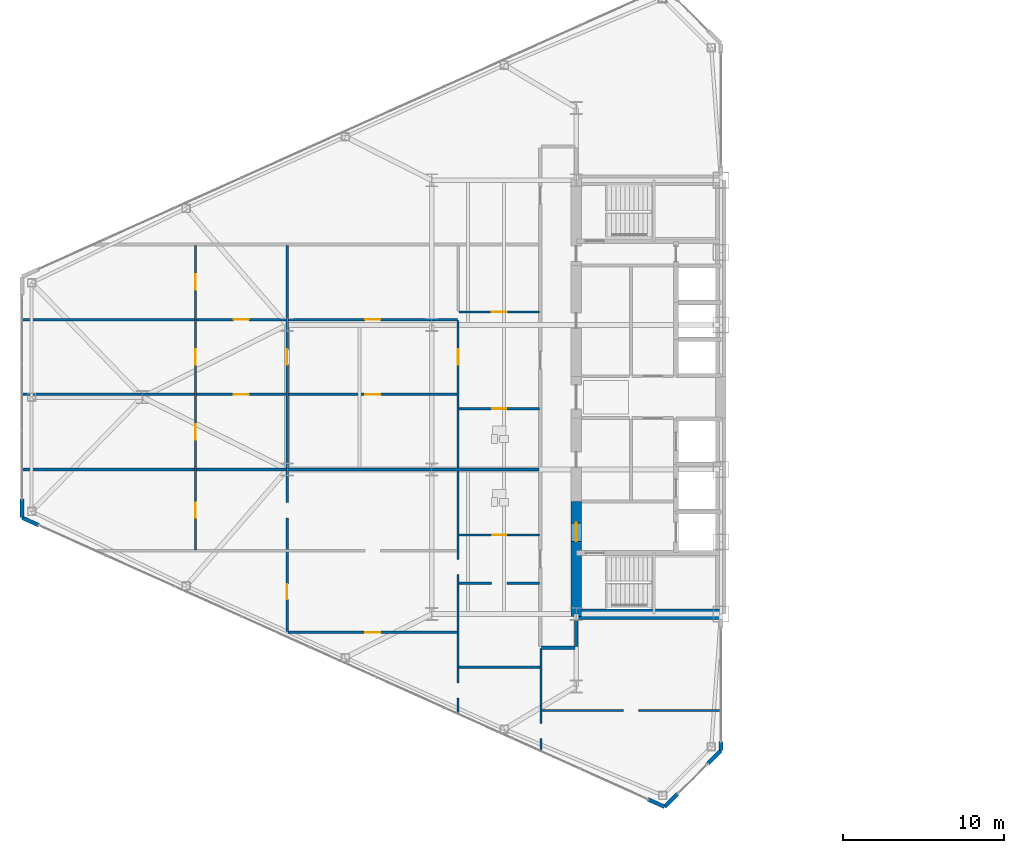
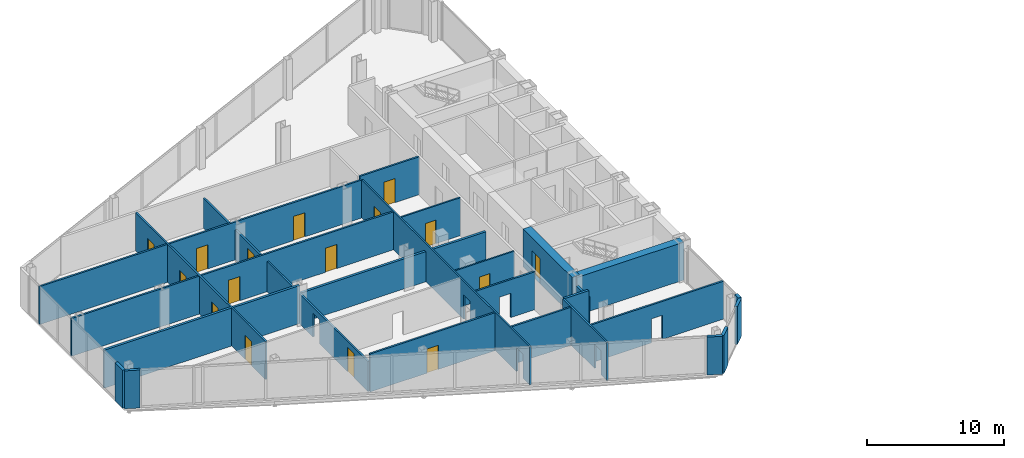
# One storey, part 19 of 27: 25 walls, 16 doors, 22 openings.
"""IFC4 building model written with IfcOpenShell, lengths in metres."""

from ifc_helpers import new_model, si_unit, direction, frame, frame_2d, origin, place, context, subcontext, project, spatial, rectangle, extrude, source, transform, mapped, material, layer, layer_set, type_object, type_shapes, element, fill, save


model = new_model("IFC4")

# Units and contexts
model_context = context("Model", 3, precision=1e-05, world=origin(), true_north=direction((0.0, 1.0)))
body_context = subcontext(model_context, "Body", "Model", "MODEL_VIEW")
ifc_project = project(units=[si_unit("LENGTHUNIT", "METRE"), si_unit("AREAUNIT", "SQUARE_METRE"), si_unit("VOLUMEUNIT", "CUBIC_METRE"), si_unit("PLANEANGLEUNIT", "RADIAN"), si_unit("MASSUNIT", "GRAM", prefix="KILO")], contexts=[model_context])

# Site, building, storey
site_placement = place(None, origin())
site = spatial("IfcSite", under=ifc_project, at=site_placement, CompositionType="ELEMENT")
building_placement = place(site_placement, origin())
building = spatial("IfcBuilding", under=site, at=building_placement, Name="Seokmaru Belvedere", CompositionType="ELEMENT")
storey_placement = place(building_placement, frame((0.0, 0.0, 65.699951171875)))
storey = spatial("IfcBuildingStorey", under=building, at=storey_placement, Name="L17", CompositionType="ELEMENT", Elevation=65.699951171875)

# Wall, opening
ifc_material_1 = material(Name="Fire-Rated Gypsum Shaftwall")
ifc_layer_1 = layer(ifc_material_1, 0.14990234375)
ifc_layer_set_1 = layer_set([ifc_layer_1], Name="Fire-Rated Gypsum Shaftwall")
wall_type_1 = type_object("IfcWallType", Name="Apartment Fire-Acoustic Room Partition 150", PredefinedType="PARTITIONING", material=ifc_layer_set_1)
wall_1_placement = place(storey_placement, frame((-38.64990234375, -19.5, 0.0), z_axis=(0.0, 0.0, 1.0), x_axis=(1.0, 0.0, 0.0)))
wall_1 = element("IfcWall", 1, at=wall_1_placement, inside=storey, type_object=wall_type_1, Name="L17 Interior Partition 001", PredefinedType="PARTITIONING", context=body_context, shape_type="SweptSolid", body=[
    extrude(rectangle(XDim=11.184814453125, YDim=0.14990234375, at=frame_2d((5.59228515625, 0.0))), origin(), (0.0, 0.0, 1.0), 3.380126953125),
])
opening_1_placement = place(wall_1_placement, frame((5.074951171875, 0.0, 0.0)))
element("IfcOpeningElement", 2, at=opening_1_placement, cuts=wall_1, Name="L17 Cased Opening 012", PredefinedType="OPENING", context=body_context, shape_type="SweptSolid", body=[
    extrude(rectangle(XDim=0.949951171875, YDim=2.14990234375, at=frame_2d((0.47509765625, 1.074951171875))), frame((0.0, 0.0849609375, 0.0), z_axis=(0.0, -1.0, 0.0), x_axis=(1.0, 0.0, 0.0)), (0.0, 0.0, 1.0), 0.169921875),
])

# Wall
wall_2_placement = place(storey_placement, frame((-43.800048828125, -16.81005859375, 0.0), z_axis=(0.0, 0.0, 1.0), x_axis=(1.0, 0.0, 0.0)))
element("IfcWall", 3, at=wall_2_placement, inside=storey, type_object=wall_type_1, Name="L17 Interior Partition 004", PredefinedType="PARTITIONING", context=body_context, shape_type="SweptSolid", body=[
    extrude(rectangle(XDim=5.050048828125, YDim=0.14990234375, at=frame_2d((2.52490234375, 0.0))), origin(), (0.0, 0.0, 1.0), 3.380126953125),
])

# Wall, opening, door
wall_3_placement = place(storey_placement, frame((-54.449951171875, -14.639892578125, 0.0), z_axis=(0.0, 0.0, 1.0), x_axis=(1.0, 0.0, 0.0)))
wall_3 = element("IfcWall", 4, at=wall_3_placement, inside=storey, type_object=wall_type_1, Name="L17 Interior Partition 008", PredefinedType="PARTITIONING", context=body_context, shape_type="SweptSolid", body=[
    extrude(rectangle(XDim=10.550048828125, YDim=0.14990234375, at=frame_2d((5.27490234375, 0.0))), origin(), (0.0, 0.0, 1.0), 3.380126953125),
])
opening_2_placement = place(wall_3_placement, frame((4.800048828125, 0.0, 0.0)))
opening_2 = element("IfcOpeningElement", 5, at=opening_2_placement, cuts=wall_3, Name="Opening D05", PredefinedType="OPENING", context=body_context, shape_type="SweptSolid", body=[
    extrude(rectangle(XDim=0.949951171875, YDim=2.14990234375, at=frame_2d((0.47509765625, 1.074951171875))), frame((0.0, 0.0849609375, 0.0), z_axis=(0.0, -1.0, 0.0), x_axis=(1.0, 0.0, 0.0)), (0.0, 0.0, 1.0), 0.169921875),
])
ifc_material_2 = material(Name="Engineered White Oak Timber", Category="wood")
door_type_1 = type_object("IfcDoorType", Name="Apartment Interior Fire-Rated Oak Door 950x2150", OperationType="NOTDEFINED", PredefinedType="DOOR", material=ifc_material_2)
shared_shape_1 = source(origin(), body_context, "Body", "SweptSolid", [
    extrude(rectangle(XDim=0.949951171875, YDim=2.14990234375, at=frame_2d((0.47509765625, 1.074951171875))), frame((0.0, 0.02490234375, 0.0), z_axis=(0.0, -1.0, 0.0), x_axis=(1.0, 0.0, 0.0)), (0.0, 0.0, 1.0), 0.050048828125),
])
type_shapes(door_type_1, [shared_shape_1])
door_1_placement = place(opening_2_placement, origin())
door_1 = element("IfcDoor", 6, at=door_1_placement, inside=storey, type_object=door_type_1, Name="L17 Interior Door 006", OperationType="SINGLE_SWING_LEFT", OverallHeight=2.14990234375, OverallWidth=0.949951171875, PredefinedType="DOOR", context=body_context, shape_type="MappedRepresentation", body=[
    mapped(shared_shape_1, transform((0.0, 0.0, 0.0), scale=1.0)),
])
fill(opening_2, door_1)

# Wall, opening
wall_4_placement = place(storey_placement, frame((-43.800048828125, -11.580078125, 0.0), z_axis=(0.0, 0.0, 1.0), x_axis=(1.0, 0.0, 0.0)))
wall_4 = element("IfcWall", 7, at=wall_4_placement, inside=storey, type_object=wall_type_1, Name="L17 Interior Partition 010", PredefinedType="PARTITIONING", context=body_context, shape_type="SweptSolid", body=[
    extrude(rectangle(XDim=5.0, YDim=0.14990234375, at=frame_2d((2.5, 0.0))), origin(), (0.0, 0.0, 1.0), 3.380126953125),
])
opening_3_placement = place(wall_4_placement, frame((2.02490234375, 0.0, 0.0)))
element("IfcOpeningElement", 8, at=opening_3_placement, cuts=wall_4, Name="L17 Cased Opening 003", PredefinedType="OPENING", context=body_context, shape_type="SweptSolid", body=[
    extrude(rectangle(XDim=0.949951171875, YDim=2.14990234375, at=frame_2d((0.47509765625, 1.074951171875))), frame((0.0, 0.0849609375, 0.0), z_axis=(0.0, -1.0, 0.0), x_axis=(1.0, 0.0, 0.0)), (0.0, 0.0, 1.0), 0.169921875),
])

# Wall, openings, doors
wall_5_placement = place(storey_placement, frame((-71.034912109375, 0.169921875, 0.0), z_axis=(0.0, 0.0, 1.0), x_axis=(1.0, 0.0, 0.0)))
wall_5 = element("IfcWall", 9, at=wall_5_placement, inside=storey, type_object=wall_type_1, Name="L17 Interior Partition 020", PredefinedType="PARTITIONING", context=body_context, shape_type="SweptSolid", body=[
    extrude(rectangle(XDim=27.135009765625, YDim=0.14990234375, at=frame_2d((13.5673828125, 0.0))), origin(), (0.0, 0.0, 1.0), 3.380126953125),
])
opening_4_placement = place(wall_5_placement, frame((21.385009765625, 0.0, 0.0)))
opening_4 = element("IfcOpeningElement", 10, at=opening_4_placement, cuts=wall_5, Name="Opening D05", PredefinedType="OPENING", context=body_context, shape_type="SweptSolid", body=[
    extrude(rectangle(XDim=0.949951171875, YDim=2.14990234375, at=frame_2d((0.47509765625, 1.074951171875))), frame((0.0, 0.0849609375, 0.0), z_axis=(0.0, -1.0, 0.0), x_axis=(1.0, 0.0, 0.0)), (0.0, 0.0, 1.0), 0.169921875),
])
opening_5_placement = place(wall_5_placement, frame((13.2099609375, 0.0, 0.0)))
opening_5 = element("IfcOpeningElement", 11, at=opening_5_placement, cuts=wall_5, Name="Opening D05", PredefinedType="OPENING", context=body_context, shape_type="SweptSolid", body=[
    extrude(rectangle(XDim=0.949951171875, YDim=2.14990234375, at=frame_2d((0.47509765625, 1.074951171875))), frame((0.0, 0.0849609375, 0.0), z_axis=(0.0, -1.0, 0.0), x_axis=(1.0, 0.0, 0.0)), (0.0, 0.0, 1.0), 0.169921875),
])
door_2_placement = place(opening_4_placement, origin())
door_2 = element("IfcDoor", 12, at=door_2_placement, inside=storey, type_object=door_type_1, Name="L17 Interior Door 018", OperationType="SINGLE_SWING_RIGHT", OverallHeight=2.14990234375, OverallWidth=0.949951171875, PredefinedType="DOOR", context=body_context, shape_type="MappedRepresentation", body=[
    mapped(shared_shape_1, transform((0.0, 0.0, 0.0), scale=1.0)),
])
fill(opening_4, door_2)
door_3_placement = place(opening_5_placement, origin())
door_3 = element("IfcDoor", 13, at=door_3_placement, inside=storey, type_object=door_type_1, Name="L17 Interior Door 020", OperationType="SINGLE_SWING_LEFT", OverallHeight=2.14990234375, OverallWidth=0.949951171875, PredefinedType="DOOR", context=body_context, shape_type="MappedRepresentation", body=[
    mapped(shared_shape_1, transform((0.0, 0.0, 0.0), scale=1.0)),
])
fill(opening_5, door_3)

wall_6_placement = place(storey_placement, frame((-71.034912109375, 4.830078125, 0.0), z_axis=(0.0, 0.0, 1.0), x_axis=(1.0, 0.0, 0.0)))
wall_6 = element("IfcWall", 14, at=wall_6_placement, inside=storey, type_object=wall_type_1, Name="L17 Interior Partition 022", PredefinedType="PARTITIONING", context=body_context, shape_type="SweptSolid", body=[
    extrude(rectangle(XDim=27.135009765625, YDim=0.14990234375, at=frame_2d((13.5673828125, 0.0))), origin(), (0.0, 0.0, 1.0), 3.380126953125),
])
opening_6_placement = place(wall_6_placement, frame((21.385009765625, 0.0, 0.0)))
opening_6 = element("IfcOpeningElement", 15, at=opening_6_placement, cuts=wall_6, Name="Opening D05", PredefinedType="OPENING", context=body_context, shape_type="SweptSolid", body=[
    extrude(rectangle(XDim=0.949951171875, YDim=2.14990234375, at=frame_2d((0.47509765625, 1.074951171875))), frame((0.0, 0.0849609375, 0.0), z_axis=(0.0, -1.0, 0.0), x_axis=(1.0, 0.0, 0.0)), (0.0, 0.0, 1.0), 0.169921875),
])
opening_7_placement = place(wall_6_placement, frame((13.2099609375, 0.0, 0.0)))
opening_7 = element("IfcOpeningElement", 16, at=opening_7_placement, cuts=wall_6, Name="Opening D05", PredefinedType="OPENING", context=body_context, shape_type="SweptSolid", body=[
    extrude(rectangle(XDim=0.949951171875, YDim=2.14990234375, at=frame_2d((0.47509765625, 1.074951171875))), frame((0.0, 0.0849609375, 0.0), z_axis=(0.0, -1.0, 0.0), x_axis=(1.0, 0.0, 0.0)), (0.0, 0.0, 1.0), 0.169921875),
])
door_4_placement = place(opening_6_placement, origin())
door_4 = element("IfcDoor", 17, at=door_4_placement, inside=storey, type_object=door_type_1, Name="L17 Interior Door 019", OperationType="SINGLE_SWING_LEFT", OverallHeight=2.14990234375, OverallWidth=0.949951171875, PredefinedType="DOOR", context=body_context, shape_type="MappedRepresentation", body=[
    mapped(shared_shape_1, transform((0.0, 0.0, 0.0), scale=1.0)),
])
fill(opening_6, door_4)
door_5_placement = place(opening_7_placement, origin())
door_5 = element("IfcDoor", 18, at=door_5_placement, inside=storey, type_object=door_type_1, Name="L17 Interior Door 023", OperationType="SINGLE_SWING_LEFT", OverallHeight=2.14990234375, OverallWidth=0.949951171875, PredefinedType="DOOR", context=body_context, shape_type="MappedRepresentation", body=[
    mapped(shared_shape_1, transform((0.0, 0.0, 0.0), scale=1.0)),
])
fill(opening_7, door_5)

# Wall, opening, door
wall_7_placement = place(storey_placement, frame((-43.800048828125, 5.300048828125, 0.0), z_axis=(0.0, 0.0, 1.0), x_axis=(1.0, 0.0, 0.0)))
wall_7 = element("IfcWall", 19, at=wall_7_placement, inside=storey, type_object=wall_type_1, Name="L17 Interior Partition 023", PredefinedType="PARTITIONING", context=body_context, shape_type="SweptSolid", body=[
    extrude(rectangle(XDim=5.0, YDim=0.14990234375, at=frame_2d((2.5, 0.0))), origin(), (0.0, 0.0, 1.0), 3.380126953125),
])
opening_8_placement = place(wall_7_placement, frame((2.02490234375, 0.0, 0.0)))
opening_8 = element("IfcOpeningElement", 20, at=opening_8_placement, cuts=wall_7, Name="Opening D05", PredefinedType="OPENING", context=body_context, shape_type="SweptSolid", body=[
    extrude(rectangle(XDim=0.949951171875, YDim=2.14990234375, at=frame_2d((0.47509765625, 1.074951171875))), frame((0.0, 0.0849609375, 0.0), z_axis=(0.0, -1.0, 0.0), x_axis=(1.0, 0.0, 0.0)), (0.0, 0.0, 1.0), 0.169921875),
])
door_6_placement = place(opening_8_placement, origin())
door_6 = element("IfcDoor", 21, at=door_6_placement, inside=storey, type_object=door_type_1, Name="L17 Interior Door 015", OperationType="SINGLE_SWING_LEFT", OverallHeight=2.14990234375, OverallWidth=0.949951171875, PredefinedType="DOOR", context=body_context, shape_type="MappedRepresentation", body=[
    mapped(shared_shape_1, transform((0.0, 0.0, 0.0), scale=1.0)),
])
fill(opening_8, door_6)

# Wall, openings, doors
wall_8_placement = place(storey_placement, frame((-60.199951171875, -9.52197265625, 0.0), z_axis=(0.0, 0.0, 1.0), x_axis=(0.0, 1.0, 0.0)))
wall_8 = element("IfcWall", 22, at=wall_8_placement, inside=storey, type_object=wall_type_1, Name="L17 Interior Partition 032", PredefinedType="PARTITIONING", context=body_context, shape_type="SweptSolid", body=[
    extrude(rectangle(XDim=18.971923828125, YDim=0.14990234375, at=frame_2d((9.48583984375, 0.0))), origin(), (0.0, 0.0, 1.0), 3.380126953125),
])
opening_9_placement = place(wall_8_placement, frame((2.0107421875, 0.0, 0.0)))
opening_9 = element("IfcOpeningElement", 23, at=opening_9_placement, cuts=wall_8, Name="Opening D05", PredefinedType="OPENING", context=body_context, shape_type="SweptSolid", body=[
    extrude(rectangle(XDim=0.949951171875, YDim=2.14990234375, at=frame_2d((0.47509765625, 1.074951171875))), frame((0.0, 0.0849609375, 0.0), z_axis=(0.0, -1.0, 0.0), x_axis=(1.0, 0.0, 0.0)), (0.0, 0.0, 1.0), 0.169921875),
])
opening_10_placement = place(wall_8_placement, frame((6.88037109375, 0.0, 0.0)))
opening_10 = element("IfcOpeningElement", 24, at=opening_10_placement, cuts=wall_8, Name="Opening D05", PredefinedType="OPENING", context=body_context, shape_type="SweptSolid", body=[
    extrude(rectangle(XDim=0.949951171875, YDim=2.14990234375, at=frame_2d((0.47509765625, 1.074951171875))), frame((0.0, 0.0849609375, 0.0), z_axis=(0.0, -1.0, 0.0), x_axis=(1.0, 0.0, 0.0)), (0.0, 0.0, 1.0), 0.169921875),
])
opening_11_placement = place(wall_8_placement, frame((11.547119140625, 0.0, 0.0)))
opening_11 = element("IfcOpeningElement", 25, at=opening_11_placement, cuts=wall_8, Name="Opening D05", PredefinedType="OPENING", context=body_context, shape_type="SweptSolid", body=[
    extrude(rectangle(XDim=0.949951171875, YDim=2.14990234375, at=frame_2d((0.47509765625, 1.074951171875))), frame((0.0, 0.0849609375, 0.0), z_axis=(0.0, -1.0, 0.0), x_axis=(1.0, 0.0, 0.0)), (0.0, 0.0, 1.0), 0.169921875),
])
opening_12_placement = place(wall_8_placement, frame((16.213623046875, 0.0, 0.0)))
opening_12 = element("IfcOpeningElement", 26, at=opening_12_placement, cuts=wall_8, Name="Opening D05", PredefinedType="OPENING", context=body_context, shape_type="SweptSolid", body=[
    extrude(rectangle(XDim=0.949951171875, YDim=2.14990234375, at=frame_2d((0.47509765625, 1.074951171875))), frame((0.0, 0.0849609375, 0.0), z_axis=(0.0, -1.0, 0.0), x_axis=(1.0, 0.0, 0.0)), (0.0, 0.0, 1.0), 0.169921875),
])
door_7_placement = place(opening_9_placement, origin())
door_7 = element("IfcDoor", 27, at=door_7_placement, inside=storey, type_object=door_type_1, Name="L17 Interior Door 009", OperationType="SINGLE_SWING_RIGHT", OverallHeight=2.14990234375, OverallWidth=0.949951171875, PredefinedType="DOOR", context=body_context, shape_type="MappedRepresentation", body=[
    mapped(shared_shape_1, transform((0.0, 0.0, 0.0), scale=1.0)),
])
fill(opening_9, door_7)
door_8_placement = place(opening_10_placement, origin())
door_8 = element("IfcDoor", 28, at=door_8_placement, inside=storey, type_object=door_type_1, Name="L17 Interior Door 021", OperationType="SINGLE_SWING_RIGHT", OverallHeight=2.14990234375, OverallWidth=0.949951171875, PredefinedType="DOOR", context=body_context, shape_type="MappedRepresentation", body=[
    mapped(shared_shape_1, transform((0.0, 0.0, 0.0), scale=1.0)),
])
fill(opening_10, door_8)
door_9_placement = place(opening_11_placement, origin())
door_9 = element("IfcDoor", 29, at=door_9_placement, inside=storey, type_object=door_type_1, Name="L17 Interior Door 022", OperationType="SINGLE_SWING_RIGHT", OverallHeight=2.14990234375, OverallWidth=0.949951171875, PredefinedType="DOOR", context=body_context, shape_type="MappedRepresentation", body=[
    mapped(shared_shape_1, transform((0.0, 0.0, 0.0), scale=1.0)),
])
fill(opening_11, door_9)
door_10_placement = place(opening_12_placement, origin())
door_10 = element("IfcDoor", 30, at=door_10_placement, inside=storey, type_object=door_type_1, Name="L17 Interior Door 024", OperationType="SINGLE_SWING_RIGHT", OverallHeight=2.14990234375, OverallWidth=0.949951171875, PredefinedType="DOOR", context=body_context, shape_type="MappedRepresentation", body=[
    mapped(shared_shape_1, transform((0.0, 0.0, 0.0), scale=1.0)),
])
fill(opening_12, door_10)

wall_9_placement = place(storey_placement, frame((-54.5, -14.594970703125, 0.0), z_axis=(0.0, 0.0, 1.0), x_axis=(0.0, 1.0, 0.0)))
wall_9 = element("IfcWall", 31, at=wall_9_placement, inside=storey, type_object=wall_type_1, Name="L17 Interior Partition 033", PredefinedType="PARTITIONING", context=body_context, shape_type="SweptSolid", body=[
    extrude(rectangle(XDim=24.044921875, YDim=0.14990234375, at=frame_2d((12.0224609375, 0.0))), origin(), (0.0, 0.0, 1.0), 2.679931640625),
])
opening_13_placement = place(wall_9_placement, frame((2.01123046875, 0.0, 0.0)))
opening_13 = element("IfcOpeningElement", 32, at=opening_13_placement, cuts=wall_9, Name="Opening D05", PredefinedType="OPENING", context=body_context, shape_type="SweptSolid", body=[
    extrude(rectangle(XDim=0.949951171875, YDim=2.14990234375, at=frame_2d((0.47509765625, 1.074951171875))), frame((0.0, 0.0849609375, 0.0), z_axis=(0.0, -1.0, 0.0), x_axis=(1.0, 0.0, 0.0)), (0.0, 0.0, 1.0), 0.169921875),
])
opening_14_placement = place(wall_9_placement, frame((7.083740234375, 0.0, 0.0)))
element("IfcOpeningElement", 33, at=opening_14_placement, cuts=wall_9, Name="L17 Cased Opening 008", PredefinedType="OPENING", context=body_context, shape_type="SweptSolid", body=[
    extrude(rectangle(XDim=0.949951171875, YDim=2.14990234375, at=frame_2d((0.47509765625, 1.074951171875))), frame((0.0, 0.0849609375, 0.0), z_axis=(0.0, -1.0, 0.0), x_axis=(1.0, 0.0, 0.0)), (0.0, 0.0, 1.0), 0.169921875),
])
opening_15_placement = place(wall_9_placement, frame((16.6201171875, 0.0, 0.0)))
opening_15 = element("IfcOpeningElement", 34, at=opening_15_placement, cuts=wall_9, Name="Opening D05", PredefinedType="OPENING", context=body_context, shape_type="SweptSolid", body=[
    extrude(rectangle(XDim=0.949951171875, YDim=2.14990234375, at=frame_2d((0.47509765625, 1.074951171875))), frame((0.0, 0.0849609375, 0.0), z_axis=(0.0, -1.0, 0.0), x_axis=(1.0, 0.0, 0.0)), (0.0, 0.0, 1.0), 0.169921875),
])
door_11_placement = place(opening_13_placement, origin())
door_11 = element("IfcDoor", 35, at=door_11_placement, inside=storey, type_object=door_type_1, Name="L17 Interior Door 005", OperationType="SINGLE_SWING_RIGHT", OverallHeight=2.14990234375, OverallWidth=0.949951171875, PredefinedType="DOOR", context=body_context, shape_type="MappedRepresentation", body=[
    mapped(shared_shape_1, transform((0.0, 0.0, 0.0), scale=1.0)),
])
fill(opening_13, door_11)
door_12_placement = place(opening_15_placement, origin())
door_12 = element("IfcDoor", 36, at=door_12_placement, inside=storey, type_object=door_type_1, Name="L17 Interior Door 017", OperationType="SINGLE_SWING_LEFT", OverallHeight=2.14990234375, OverallWidth=0.949951171875, PredefinedType="DOOR", context=body_context, shape_type="MappedRepresentation", body=[
    mapped(shared_shape_1, transform((0.0, 0.0, 0.0), scale=1.0)),
])
fill(opening_15, door_12)

# Wall, opening
wall_10_placement = place(storey_placement, frame((-38.699951171875, -22.070068359375, 0.0), z_axis=(0.0, 0.0, 1.0), x_axis=(0.0, 1.0, 0.0)))
wall_10 = element("IfcWall", 37, at=wall_10_placement, inside=storey, type_object=wall_type_1, Name="L17 Interior Partition 037", PredefinedType="PARTITIONING", context=body_context, shape_type="SweptSolid", body=[
    extrude(rectangle(XDim=6.420166015625, YDim=0.14990234375, at=frame_2d((3.2099609375, 0.0))), origin(), (0.0, 0.0, 1.0), 3.380126953125),
])
opening_16_placement = place(wall_10_placement, frame((0.827392578125, 0.0, 0.0)))
element("IfcOpeningElement", 38, at=opening_16_placement, cuts=wall_10, Name="L17 Cased Opening 011", PredefinedType="OPENING", context=body_context, shape_type="SweptSolid", body=[
    extrude(rectangle(XDim=0.949951171875, YDim=2.14990234375, at=frame_2d((0.47509765625, 1.074951171875))), frame((0.0, 0.0849609375, 0.0), z_axis=(0.0, -1.0, 0.0), x_axis=(1.0, 0.0, 0.0)), (0.0, 0.0, 1.0), 0.169921875),
])

# Walls
ifc_layer_2 = layer(ifc_material_1, 0.199951171875)
ifc_layer_set_2 = layer_set([ifc_layer_2], Name="Fire-Rated Gypsum Shaftwall")
wall_type_2 = type_object("IfcWallType", Name="Inter-Tenancy Fire Compartment Partition 200", PredefinedType="PARTITIONING", material=ifc_layer_set_2)
wall_11_placement = place(storey_placement, frame((-38.6650390625, -15.60009765625, 0.0), z_axis=(0.0, 0.0, 1.0), x_axis=(1.0, 0.0, 0.0)))
element("IfcWall", 39, at=wall_11_placement, inside=storey, type_object=wall_type_2, Name="L17 Interior Partition 006", PredefinedType="PARTITIONING", context=body_context, shape_type="SweptSolid", body=[
    extrude(rectangle(XDim=2.080078125, YDim=0.199951171875, at=frame_2d((1.0400390625, 0.0))), origin(), (0.0, 0.0, 1.0), 3.380126953125),
])
wall_12_placement = place(storey_placement, frame((-71.0048828125, -4.5, 0.0), z_axis=(0.0, 0.0, 1.0), x_axis=(1.0, 0.0, 0.0)))
element("IfcWall", 40, at=wall_12_placement, inside=storey, type_object=wall_type_2, Name="L17 Interior Partition 016", PredefinedType="PARTITIONING", context=body_context, shape_type="SweptSolid", body=[
    extrude(rectangle(XDim=16.48486328125, YDim=0.199951171875, at=frame_2d((8.242431640625, 0.0))), origin(), (0.0, 0.0, 1.0), 3.380126953125),
])
wall_13_placement = place(storey_placement, frame((-54.52001953125, -4.5, 0.0), z_axis=(0.0, 0.0, 1.0), x_axis=(1.0, 0.0, 0.0)))
element("IfcWall", 41, at=wall_13_placement, inside=storey, type_object=wall_type_2, Name="L17 Interior Partition 016 Part 2", PredefinedType="PARTITIONING", context=body_context, shape_type="SweptSolid", body=[
    extrude(rectangle(XDim=15.68994140625, YDim=0.199951171875, at=frame_2d((7.844970703125, 0.0))), origin(), (0.0, 0.0, 1.0), 2.679931640625),
])
wall_14_placement = place(storey_placement, frame((-36.5, -15.514892578125, 0.0), z_axis=(0.0, 0.0, 1.0), x_axis=(0.0, 1.0, 0.0)))
element("IfcWall", 42, at=wall_14_placement, inside=storey, type_object=wall_type_2, Name="L17 Interior Partition 038", PredefinedType="PARTITIONING", context=body_context, shape_type="SweptSolid", body=[
    extrude(rectangle(XDim=1.684814453125, YDim=0.199951171875, at=frame_2d((0.84228515625, 0.0))), origin(), (0.0, 0.0, 1.0), 2.679931640625),
])
ifc_material_3 = material(Name="Concrete C60 (60 MPa)", Category="concrete")
ifc_layer_3 = layer(ifc_material_3, 0.64990234375)
ifc_layer_set_3 = layer_set([ifc_layer_3], Name="Concrete C60 (60 MPa)")
wall_type_3 = type_object("IfcWallType", Name="Mid-Low Reinforced Concrete Core Wall 650", PredefinedType="SHEAR", material=ifc_layer_set_3)
wall_15_placement = place(storey_placement, frame((-36.5, -13.5, 0.0), z_axis=(0.0, 0.0, 1.0), x_axis=(1.0, 0.0, 0.0)))
element("IfcWall", 43, at=wall_15_placement, inside=storey, type_object=wall_type_3, Name="L17 West South Core Wall", PredefinedType="SHEAR", context=body_context, shape_type="SweptSolid", body=[
    extrude(rectangle(XDim=9.0, YDim=0.64990234375, at=frame_2d((4.5, 0.0))), origin(), (0.0, 0.0, 1.0), 3.380126953125),
])

# Wall, opening, door
wall_16_placement = place(storey_placement, frame((-36.5, -13.64990234375, 0.0), z_axis=(0.0, 0.0, 1.0), x_axis=(0.0, 1.0, 0.0)))
wall_16 = element("IfcWall", 44, at=wall_16_placement, inside=storey, type_object=wall_type_3, Name="L17 West West Core Wall FF", PredefinedType="SHEAR", context=body_context, shape_type="SweptSolid", body=[
    extrude(rectangle(XDim=7.14990234375, YDim=0.64990234375, at=frame_2d((3.574951171875, 0.0))), origin(), (0.0, 0.0, 1.0), 3.380126953125),
])
opening_17_placement = place(wall_16_placement, frame((4.675048828125, 0.0, 0.0)))
opening_17 = element("IfcOpeningElement", 45, at=opening_17_placement, cuts=wall_16, Name="Opening D02", PredefinedType="OPENING", context=body_context, shape_type="SweptSolid", body=[
    extrude(rectangle(XDim=1.14990234375, YDim=2.199951171875, at=frame_2d((0.574951171875, 1.10009765625))), frame((0.0, 0.3349609375, 0.0), z_axis=(0.0, -1.0, 0.0), x_axis=(1.0, 0.0, 0.0)), (0.0, 0.0, 1.0), 0.669921875),
])
ifc_material_4 = material(Name="Fire-Rated Steel Leaf", Category="steel")
door_type_2 = type_object("IfcDoorType", Name="Lobby and Vestibule Fire Door 1150x2200", OperationType="NOTDEFINED", PredefinedType="DOOR", material=ifc_material_4)
shared_shape_2 = source(origin(), body_context, "Body", "SweptSolid", [
    extrude(rectangle(XDim=1.14990234375, YDim=2.199951171875, at=frame_2d((0.574951171875, 1.10009765625))), frame((0.0, 0.02490234375, 0.0), z_axis=(0.0, -1.0, 0.0), x_axis=(1.0, 0.0, 0.0)), (0.0, 0.0, 1.0), 0.050048828125),
])
type_shapes(door_type_2, [shared_shape_2])
door_13_placement = place(opening_17_placement, frame((1.14990234375, 0.0, 0.0), z_axis=(0.0, 0.0, 1.0), x_axis=(-1.0, 0.0, 0.0)))
door_13 = element("IfcDoor", 46, at=door_13_placement, inside=storey, type_object=door_type_2, Name="L17 West Firefighting Lobby Door", OperationType="SINGLE_SWING_LEFT", OverallHeight=2.199951171875, OverallWidth=1.14990234375, PredefinedType="DOOR", context=body_context, shape_type="MappedRepresentation", body=[
    mapped(shared_shape_2, transform((0.0, 0.0, 0.0), scale=1.0)),
])
fill(opening_17, door_13)

ifc_layer_4 = layer(ifc_material_1, 0.1298828125)
ifc_layer_set_4 = layer_set([ifc_layer_4], Name="Fire-Rated Gypsum Shaftwall")
wall_type_4 = type_object("IfcWallType", Name="Moisture-Resistant Fire-Rated Bathroom Partition 130", PredefinedType="PARTITIONING", material=ifc_layer_set_4)
wall_17_placement = place(storey_placement, frame((-43.800048828125, -8.580078125, 0.0), z_axis=(0.0, 0.0, 1.0), x_axis=(1.0, 0.0, 0.0)))
wall_17 = element("IfcWall", 47, at=wall_17_placement, inside=storey, type_object=wall_type_4, Name="L17 Interior Partition 013", PredefinedType="PARTITIONING", context=body_context, shape_type="SweptSolid", body=[
    extrude(rectangle(XDim=5.0, YDim=0.1298828125, at=frame_2d((2.5, 0.0))), origin(), (0.0, 0.0, 1.0), 3.380126953125),
])
opening_18_placement = place(wall_17_placement, frame((2.06005859375, 0.0, 0.0)))
opening_18 = element("IfcOpeningElement", 48, at=opening_18_placement, cuts=wall_17, Name="Opening D06", PredefinedType="OPENING", context=body_context, shape_type="SweptSolid", body=[
    extrude(rectangle(XDim=0.8798828125, YDim=2.10009765625, at=frame_2d((0.43994140625, 1.050048828125))), frame((0.0, 0.074951171875, 0.0), z_axis=(0.0, -1.0, 0.0), x_axis=(1.0, 0.0, 0.0)), (0.0, 0.0, 1.0), 0.14990234375),
])
door_type_3 = type_object("IfcDoorType", Name="Bathroom and Restroom Fire-Rated Door 880x2100", OperationType="NOTDEFINED", PredefinedType="DOOR", material=ifc_material_2)
shared_shape_3 = source(origin(), body_context, "Body", "SweptSolid", [
    extrude(rectangle(XDim=0.8798828125, YDim=2.10009765625, at=frame_2d((0.43994140625, 1.050048828125))), frame((0.0, 0.02490234375, 0.0), z_axis=(0.0, -1.0, 0.0), x_axis=(1.0, 0.0, 0.0)), (0.0, 0.0, 1.0), 0.050048828125),
])
type_shapes(door_type_3, [shared_shape_3])
door_14_placement = place(opening_18_placement, origin())
door_14 = element("IfcDoor", 49, at=door_14_placement, inside=storey, type_object=door_type_3, Name="L17 Interior Door 002", OperationType="SINGLE_SWING_LEFT", OverallHeight=2.10009765625, OverallWidth=0.8798828125, PredefinedType="DOOR", context=body_context, shape_type="MappedRepresentation", body=[
    mapped(shared_shape_3, transform((0.0, 0.0, 0.0), scale=1.0)),
])
fill(opening_18, door_14)

wall_18_placement = place(storey_placement, frame((-43.800048828125, -0.719970703125, 0.0), z_axis=(0.0, 0.0, 1.0), x_axis=(1.0, 0.0, 0.0)))
wall_18 = element("IfcWall", 50, at=wall_18_placement, inside=storey, type_object=wall_type_4, Name="L17 Interior Partition 019", PredefinedType="PARTITIONING", context=body_context, shape_type="SweptSolid", body=[
    extrude(rectangle(XDim=5.0, YDim=0.1298828125, at=frame_2d((2.5, 0.0))), origin(), (0.0, 0.0, 1.0), 3.380126953125),
])
opening_19_placement = place(wall_18_placement, frame((2.06005859375, 0.0, 0.0)))
opening_19 = element("IfcOpeningElement", 51, at=opening_19_placement, cuts=wall_18, Name="Opening D06", PredefinedType="OPENING", context=body_context, shape_type="SweptSolid", body=[
    extrude(rectangle(XDim=0.8798828125, YDim=2.10009765625, at=frame_2d((0.43994140625, 1.050048828125))), frame((0.0, 0.074951171875, 0.0), z_axis=(0.0, -1.0, 0.0), x_axis=(1.0, 0.0, 0.0)), (0.0, 0.0, 1.0), 0.14990234375),
])
door_15_placement = place(opening_19_placement, origin())
door_15 = element("IfcDoor", 52, at=door_15_placement, inside=storey, type_object=door_type_3, Name="L17 Interior Door 014", OperationType="SINGLE_SWING_LEFT", OverallHeight=2.10009765625, OverallWidth=0.8798828125, PredefinedType="DOOR", context=body_context, shape_type="MappedRepresentation", body=[
    mapped(shared_shape_3, transform((0.0, 0.0, 0.0), scale=1.0)),
])
fill(opening_19, door_15)

# Wall, openings, door
wall_19_placement = place(storey_placement, frame((-43.85009765625, -19.7529296875, 0.0), z_axis=(0.0, 0.0, 1.0), x_axis=(0.0, 1.0, 0.0)))
wall_19 = element("IfcWall", 53, at=wall_19_placement, inside=storey, type_object=wall_type_4, Name="L17 Interior Partition 034", PredefinedType="PARTITIONING", context=body_context, shape_type="SweptSolid", body=[
    extrude(rectangle(XDim=24.535888671875, YDim=0.1298828125, at=frame_2d((12.26806640625, 0.0))), origin(), (0.0, 0.0, 1.0), 3.380126953125),
])
opening_20_placement = place(wall_19_placement, frame((8.702880859375, 0.0, 0.0)))
element("IfcOpeningElement", 54, at=opening_20_placement, cuts=wall_19, Name="L17 Cased Opening 004", PredefinedType="OPENING", context=body_context, shape_type="SweptSolid", body=[
    extrude(rectangle(XDim=0.949951171875, YDim=2.14990234375, at=frame_2d((0.47509765625, 1.074951171875))), frame((0.0, 0.074951171875, 0.0), z_axis=(0.0, -1.0, 0.0), x_axis=(1.0, 0.0, 0.0)), (0.0, 0.0, 1.0), 0.14990234375),
])
opening_21_placement = place(wall_19_placement, frame((1.01611328125, 0.0, 0.0)))
element("IfcOpeningElement", 55, at=opening_21_placement, cuts=wall_19, Name="L17 Cased Opening 010", PredefinedType="OPENING", context=body_context, shape_type="SweptSolid", body=[
    extrude(rectangle(XDim=0.949951171875, YDim=2.14990234375, at=frame_2d((0.47509765625, 1.074951171875))), frame((0.0, 0.074951171875, 0.0), z_axis=(0.0, -1.0, 0.0), x_axis=(1.0, 0.0, 0.0)), (0.0, 0.0, 1.0), 0.14990234375),
])
opening_22_placement = place(wall_19_placement, frame((21.778076171875, 0.0, 0.0)))
opening_22 = element("IfcOpeningElement", 56, at=opening_22_placement, cuts=wall_19, Name="Opening D05", PredefinedType="OPENING", context=body_context, shape_type="SweptSolid", body=[
    extrude(rectangle(XDim=0.949951171875, YDim=2.14990234375, at=frame_2d((0.47509765625, 1.074951171875))), frame((0.0, 0.074951171875, 0.0), z_axis=(0.0, -1.0, 0.0), x_axis=(1.0, 0.0, 0.0)), (0.0, 0.0, 1.0), 0.14990234375),
])
door_16_placement = place(opening_22_placement, origin())
door_16 = element("IfcDoor", 57, at=door_16_placement, inside=storey, type_object=door_type_1, Name="L17 Interior Door 016", OperationType="SINGLE_SWING_RIGHT", OverallHeight=2.14990234375, OverallWidth=0.949951171875, PredefinedType="DOOR", context=body_context, shape_type="MappedRepresentation", body=[
    mapped(shared_shape_1, transform((0.0, 0.0, 0.0), scale=1.0)),
])
fill(opening_22, door_16)

# Walls
ifc_material_5 = material(Name="Anodised Bronze Aluminium", Category="aluminium")
ifc_layer_5 = layer(ifc_material_5, 0.239990234375)
ifc_layer_set_5 = layer_set([ifc_layer_5], Name="Anodised Bronze Aluminium")
wall_type_5 = type_object("IfcWallType", Name="Tower Corner Spandrel Closure Wall 240", PredefinedType="SOLIDWALL", material=ifc_layer_set_5)
wall_20_placement = place(storey_placement, frame((-27.5, -21.97998046875, 0.0), z_axis=(0.0, 0.0, 1.0), x_axis=(0.0, 1.0, 0.0)))
element("IfcWall", 58, at=wall_20_placement, inside=storey, type_object=wall_type_5, Name="L17 W Spine Closure Pier 1A", PredefinedType="SOLIDWALL", context=body_context, shape_type="SweptSolid", body=[
    extrude(rectangle(XDim=0.550048828125, YDim=0.239990234375, at=frame_2d((0.27490234375, 0.0))), origin(), (0.0, 0.0, 1.0), 3.380126953125),
])
for number, where, z_axis, x_axis, name in (
    (59, (-71.0, -6.35009765625, 0.0), (0.0, 0.0, 1.0), (0.0, -1.0, 0.0), "L17 W Corner Closure Pier 4B"),
    (60, (-70.990966796875, -7.504150390625, 0.0), (0.0, 0.0, 1.0), (0.911929519623, -0.410346866979, 0.0), "L17 W Corner Closure Pier 5A"),
    (61, (-32.048583984375, -25.028076171875, 0.0), (0.0, 0.0, 1.0), (0.911929519623, -0.410346866979, 0.0), "L17 W Corner Closure Pier 5B"),
):
    element("IfcWall", number, at=place(storey_placement, frame(where, z_axis=z_axis, x_axis=x_axis)), inside=storey, type_object=wall_type_5, Name=name, PredefinedType="SOLIDWALL", context=body_context, shape_type="SweptSolid", body=[
        extrude(rectangle(XDim=1.139892578125, YDim=0.239990234375, at=frame_2d((0.56982421875, 0.0))), origin(), (0.0, 0.0, 1.0), 3.380126953125),
    ])
for number, where, z_axis, x_axis, name in (
    (62, (-30.992919921875, -25.492919921875, 0.0), (0.0, 0.0, 1.0), (0.707106781187, 0.707106781187, 0.0), "L17 W Corner Closure Pier 6A"),
    (63, (-28.313232421875, -22.813232421875, 0.0), (0.0, 0.0, 1.0), (0.707106781187, 0.707106781187, 0.0), "L17 W Corner Closure Pier 6B"),
):
    element("IfcWall", number, at=place(storey_placement, frame(where, z_axis=z_axis, x_axis=x_axis)), inside=storey, type_object=wall_type_5, Name=name, PredefinedType="SOLIDWALL", context=body_context, shape_type="SweptSolid", body=[
        extrude(rectangle(XDim=1.14013671875, YDim=0.239990234375, at=frame_2d((0.570068359375, 0.0))), origin(), (0.0, 0.0, 1.0), 3.380126953125),
    ])

save(model, "model.ifc")
